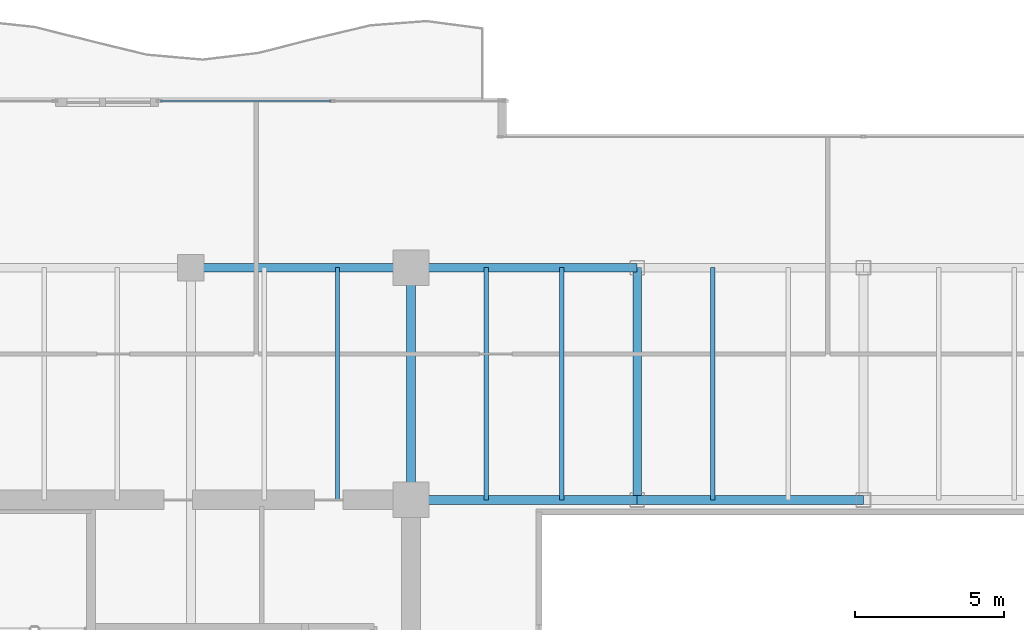
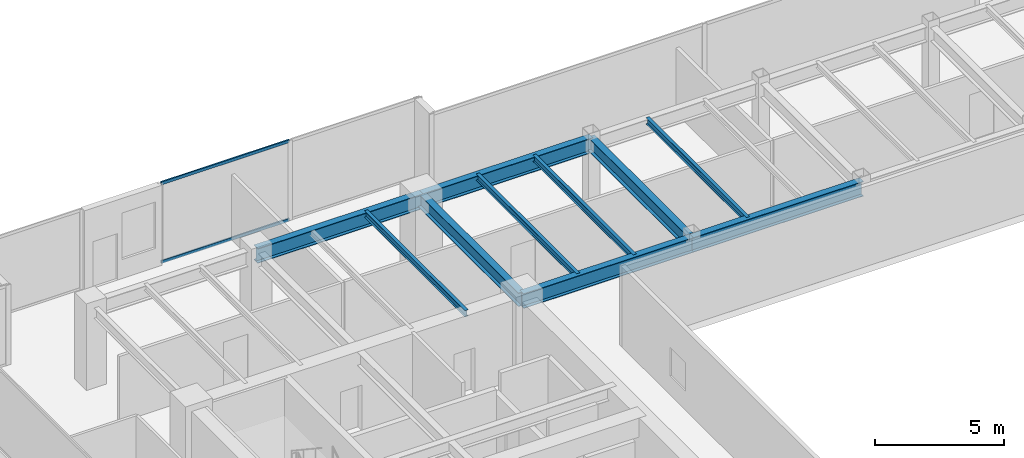
# One storey, part 13 of 30: 10 beams, 2 members, 1 element without a shape of its own.
"""IFC4 building model written with IfcOpenShell, lengths in metres."""

from ifc_helpers import new_model, si_unit, direction, frame, origin, origin_2d, place, context, subcontext, project, spatial, hollow_rectangle, i_section, extrude, source, transform, mapped, material, layer, layer_set, material_profile, profile_set, type_object, type_shapes, element, aggregate, save


model = new_model("IFC4")

# Units and contexts
model_context = context("Model", 3, precision=1e-05, world=origin(), true_north=direction((0.0, 1.0)))
body_context = subcontext(model_context, "Body", "Model", "MODEL_VIEW")
ifc_project = project(units=[si_unit("LENGTHUNIT", "METRE"), si_unit("AREAUNIT", "SQUARE_METRE"), si_unit("VOLUMEUNIT", "CUBIC_METRE"), si_unit("PLANEANGLEUNIT", "RADIAN"), si_unit("MASSUNIT", "GRAM", prefix="KILO")], contexts=[model_context])

# Site, building, storey
site_placement = place(None, origin())
site = spatial("IfcSite", under=ifc_project, at=site_placement, CompositionType="ELEMENT")
building_placement = place(site_placement, origin())
building = spatial("IfcBuilding", under=site, at=building_placement, Name="Haelvirn Gate Laboratories", CompositionType="ELEMENT")
storey_placement = place(building_placement, frame((0.0, 0.0, 146.10009765625)))
storey = spatial("IfcBuildingStorey", under=building, at=storey_placement, Name="L35", CompositionType="ELEMENT", Elevation=146.10009765625)

# Beams
ifc_material_1 = material(Name="Steel SM355", Category="steel")
ifc_material_profile_1 = material_profile(ifc_material_1, i_section(OverallWidth=0.300048828125, OverallDepth=0.64990234375, WebThickness=0.012939453125, FlangeThickness=0.02197265625, at=origin_2d()), Name="H-650x300x13x22")
ifc_profile_set_1 = profile_set([ifc_material_profile_1], Name="Steel SM355")
beam_type_1 = type_object("IfcBeamType", Name="BM-G-650", PredefinedType="BEAM", material=ifc_profile_set_1)
shared_shape_1 = source(origin(), body_context, "Body", "SweptSolid", [
    extrude(i_section(OverallWidth=0.300048828125, OverallDepth=0.64990234375, WebThickness=0.012939453125, FlangeThickness=0.02197265625, at=origin_2d()), origin(), (0.0, 0.0, 1.0), 7.800048828125),
])
type_shapes(beam_type_1, [shared_shape_1])
for number, where, z_axis, x_axis, name in (
    (1, (22.199951171875, 33.800048828125, 3.46484375), (0.0, 1.0, 0.0), (-1.0, 0.0, 0.0), "L35 Frame Girder X22.2 (33.8-41.6)"),
    (2, (29.800048828125, 33.800048828125, 3.46484375), (0.0, 1.0, 0.0), (-1.0, 0.0, 0.0), "L35 Frame Girder X29.8 (33.8-41.6)"),
):
    element("IfcBeam", number, at=place(storey_placement, frame(where, z_axis=z_axis, x_axis=x_axis)), inside=storey, type_object=beam_type_1, Name=name, PredefinedType="BEAM", context=body_context, shape_type="MappedRepresentation", body=[
        mapped(shared_shape_1, transform((0.0, 0.0, 0.0), scale=1.0)),
    ])
ifc_material_profile_2 = material_profile(ifc_material_1, i_section(OverallWidth=0.300048828125, OverallDepth=0.699951171875, WebThickness=0.012939453125, FlangeThickness=0.02392578125, at=origin_2d()), Name="H-700x300x13x24")
ifc_profile_set_2 = profile_set([ifc_material_profile_2], Name="Steel SM355")
beam_type_2 = type_object("IfcBeamType", Name="BM-G-700", PredefinedType="BEAM", material=ifc_profile_set_2)
shared_shape_2 = source(origin(), body_context, "Body", "SweptSolid", [
    extrude(i_section(OverallWidth=0.300048828125, OverallDepth=0.699951171875, WebThickness=0.012939453125, FlangeThickness=0.02392578125, at=origin_2d()), origin(), (0.0, 0.0, 1.0), 7.39990234375),
])
beam_1_placement = place(storey_placement, frame((14.800048828125, 41.60009765625, 3.43994140625), z_axis=(1.0, 0.0, 0.0), x_axis=(0.0, 1.0, 0.0)))
element("IfcBeam", 3, at=beam_1_placement, inside=storey, type_object=beam_type_2, Name="L35 Primary Girder Y41.6 (14.8-22.2)", PredefinedType="BEAM", context=body_context, shape_type="MappedRepresentation", body=[
    mapped(shared_shape_2, transform((0.0, 0.0, 0.0), scale=1.0)),
])
shared_shape_3 = source(origin(), body_context, "Body", "SweptSolid", [
    extrude(i_section(OverallWidth=0.300048828125, OverallDepth=0.699951171875, WebThickness=0.012939453125, FlangeThickness=0.02392578125, at=origin_2d()), origin(), (0.0, 0.0, 1.0), 7.60009765625),
])
for number, where, z_axis, x_axis, name in (
    (4, (22.199951171875, 33.800048828125, 3.43994140625), (1.0, 0.0, 0.0), (0.0, 1.0, 0.0), "L35 Primary Girder Y33.8 (22.2-29.8)"),
    (5, (22.199951171875, 41.60009765625, 3.43994140625), (1.0, 0.0, 0.0), (0.0, 1.0, 0.0), "L35 Primary Girder Y41.6 (22.2-29.8)"),
):
    element("IfcBeam", number, at=place(storey_placement, frame(where, z_axis=z_axis, x_axis=x_axis)), inside=storey, type_object=beam_type_2, Name=name, PredefinedType="BEAM", context=body_context, shape_type="MappedRepresentation", body=[
        mapped(shared_shape_3, transform((0.0, 0.0, 0.0), scale=1.0)),
    ])
shared_shape_4 = source(origin(), body_context, "Body", "SweptSolid", [
    extrude(i_section(OverallWidth=0.300048828125, OverallDepth=0.699951171875, WebThickness=0.012939453125, FlangeThickness=0.02392578125, at=origin_2d()), origin(), (0.0, 0.0, 1.0), 7.599853515625),
])
type_shapes(beam_type_2, [shared_shape_2, shared_shape_3, shared_shape_4])
beam_2_placement = place(storey_placement, frame((29.800048828125, 33.800048828125, 3.43994140625), z_axis=(1.0, 0.0, 0.0), x_axis=(0.0, 1.0, 0.0)))
element("IfcBeam", 6, at=beam_2_placement, inside=storey, type_object=beam_type_2, Name="L35 Primary Girder Y33.8 (29.8-37.4)", PredefinedType="BEAM", context=body_context, shape_type="MappedRepresentation", body=[
    mapped(shared_shape_4, transform((0.0, 0.0, 0.0), scale=1.0)),
])
ifc_material_profile_3 = material_profile(ifc_material_1, i_section(OverallWidth=0.14990234375, OverallDepth=0.300048828125, WebThickness=0.006591796875, FlangeThickness=0.009033203125, at=origin_2d()), Name="H-300x150x6.5x9")
ifc_profile_set_3 = profile_set([ifc_material_profile_3], Name="Steel SM355")
beam_type_3 = type_object("IfcBeamType", Name="BM-J-300", PredefinedType="JOIST", material=ifc_profile_set_3)
shared_shape_5 = source(origin(), body_context, "Body", "SweptSolid", [
    extrude(i_section(OverallWidth=0.14990234375, OverallDepth=0.300048828125, WebThickness=0.006591796875, FlangeThickness=0.009033203125, at=origin_2d()), origin(), (0.0, 0.0, 1.0), 7.800048828125),
])
type_shapes(beam_type_3, [shared_shape_5])
for number, where, z_axis, x_axis, name in (
    (7, (19.72998046875, 33.800048828125, 3.639892578125), (0.0, 1.0, 0.0), (-1.0, 0.0, 0.0), "L35 Composite Lab Joist North X19.73"),
    (8, (24.72998046875, 33.800048828125, 3.639892578125), (0.0, 1.0, 0.0), (-1.0, 0.0, 0.0), "L35 Composite Lab Joist North X24.73"),
    (9, (27.27001953125, 33.800048828125, 3.639892578125), (0.0, 1.0, 0.0), (-1.0, 0.0, 0.0), "L35 Composite Lab Joist North X27.27"),
    (10, (32.330078125, 33.800048828125, 3.639892578125), (0.0, 1.0, 0.0), (-1.0, 0.0, 0.0), "L35 Composite Lab Joist North X32.33"),
):
    element("IfcBeam", number, at=place(storey_placement, frame(where, z_axis=z_axis, x_axis=x_axis)), inside=storey, type_object=beam_type_3, Name=name, PredefinedType="JOIST", context=body_context, shape_type="MappedRepresentation", body=[
        mapped(shared_shape_5, transform((0.0, 0.0, 0.0), scale=1.0)),
    ])

# Curtain wall, members
ifc_material_2 = material(Name="Anodised bronze unitised aluminium & triple low-E glass", Category="aluminium")
ifc_layer = layer(ifc_material_2, 0.179931640625, Name="CW-SYS-3")
ifc_layer_set = layer_set([ifc_layer], Name="Anodised bronze unitised aluminium & triple low-E glass")
curtain_wall_type = type_object("IfcCurtainWallType", Name="CW-SYS-3", PredefinedType="NOTDEFINED", material=ifc_layer_set)
curtain_wall_placement = place(storey_placement, origin())
curtain_wall = element("IfcCurtainWall", 11, at=curtain_wall_placement, inside=storey, type_object=curtain_wall_type, Name="L35 Unitised Curtain Wall CW-L35-P0-E14-2", PredefinedType="NOTDEFINED")
ifc_material_3 = material(Name="Extruded aluminium 6063-T6 (anodised bronze)", Category="aluminium")
ifc_material_profile_4 = material_profile(ifc_material_3, hollow_rectangle(XDim=0.06494140625, YDim=0.139892578125, WallThickness=0.00390625, at=origin_2d()), Name="CWT-140x65x4")
ifc_profile_set_4 = profile_set([ifc_material_profile_4], Name="Extruded aluminium 6063-T6 (anodised bronze)")
member_type = type_object("IfcMemberType", Name="CWT-T140", PredefinedType="USERDEFINED", material=ifc_profile_set_4)
shared_shape_6 = source(origin(), body_context, "Body", "SweptSolid", [
    extrude(hollow_rectangle(XDim=0.06494140625, YDim=0.139892578125, WallThickness=0.00390625, at=origin_2d()), origin(), (0.0, 0.0, 1.0), 5.732666015625),
])
type_shapes(member_type, [shared_shape_6])
member_1_placement = place(storey_placement, frame((13.784912109375, 47.199951171875, 0.032470703125), z_axis=(1.0, 0.0, 0.0), x_axis=(0.0, 1.0, 0.0)))
member_1 = element("IfcMember", 12, at=member_1_placement, type_object=member_type, Name="CW3 transom 1.1", ObjectType="TRANSOM", PredefinedType="USERDEFINED", context=body_context, shape_type="MappedRepresentation", body=[
    mapped(shared_shape_6, transform((0.0, 0.0, 0.0), scale=1.0)),
])
member_2_placement = place(storey_placement, frame((13.784912109375, 47.199951171875, 3.75732421875), z_axis=(1.0, 0.0, 0.0), x_axis=(0.0, 1.0, 0.0)))
member_2 = element("IfcMember", 13, at=member_2_placement, type_object=member_type, Name="CW3 transom 1.2", ObjectType="TRANSOM", PredefinedType="USERDEFINED", context=body_context, shape_type="MappedRepresentation", body=[
    mapped(shared_shape_6, transform((0.0, 0.0, 0.0), scale=1.0)),
])
aggregate(curtain_wall, [member_1, member_2])

save(model, "model.ifc")
